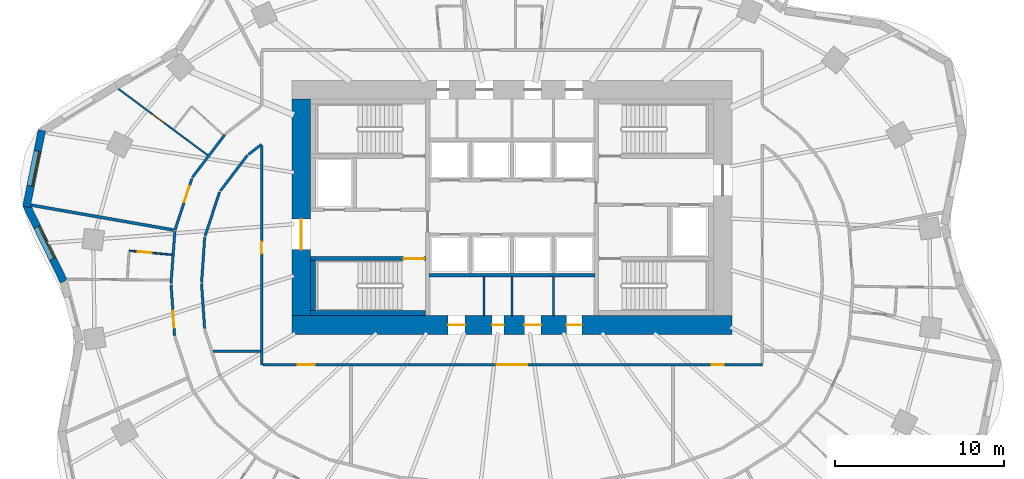
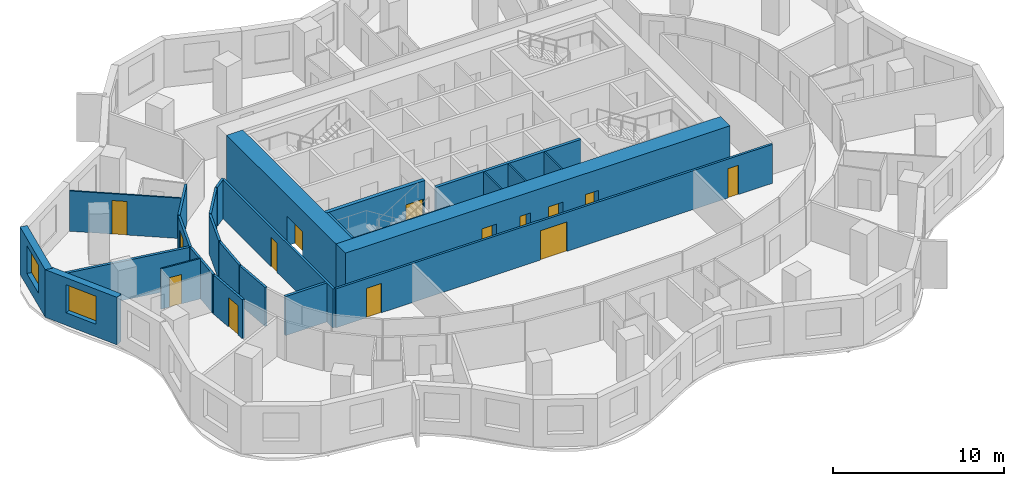
# One storey, part 4 of 10: 26 walls, 14 doors, 2 windows, 16 openings.
"""IFC4 building model written with IfcOpenShell, lengths in metres."""

import ifcopenshell
import ifcopenshell.guid

model = None  # the IFC model being written
_history = None  # IfcOwnerHistory: only IFC2X3 demands one
_inside = {}  # id of a spatial element -> (the spatial element, [elements in it])
_under = {}  # id of a project, library or spatial element -> (it, [spatial elements below it])
_declared = {}  # id of a project -> (the project, [libraries it declares])
_typed = {}  # id of a type object -> (the type object, [elements of that type])
_made_of = {}  # id of a material, layer set ... -> (it, [elements and type objects made of it])


def new_model(schema):
    """Start an empty IFC model of exactly this schema.

    Asked for "IFC4X3", IfcOpenShell would pick the latest addendum, in which some entities
    have other attributes; the version numbers below select the first issue.
    IFC2X3 requires an IfcOwnerHistory on every rooted entity: one is made here for all.
    """
    global model, _history
    if schema == "IFC4X3":
        model = ifcopenshell.file(schema_version=(4, 3, 0, 0))
    else:
        model = ifcopenshell.file(schema=schema)
    _inside.clear()
    _under.clear()
    _declared.clear()
    _typed.clear()
    _made_of.clear()
    _history = None
    if model.schema == "IFC2X3":
        org = make("IfcOrganization", Name="unknown")
        user = make(
            "IfcPersonAndOrganization",
            ThePerson=make("IfcPerson", FamilyName="unknown"),
            TheOrganization=org,
        )
        app = make(
            "IfcApplication",
            ApplicationDeveloper=org,
            Version="unknown",
            ApplicationFullName="unknown",
            ApplicationIdentifier="unknown",
        )
        _history = make(
            "IfcOwnerHistory",
            OwningUser=user,
            OwningApplication=app,
            ChangeAction="ADDED",
            CreationDate=0,
        )
    return model


def make(cls, **values):
    """One entity of the class cls with the attributes given. An attribute that is None is left unset."""
    return model.create_entity(
        cls, **{name: value for name, value in values.items() if value is not None}
    )


def rooted(cls, **values):
    """An entity with a GlobalId (a new one), such as an element, a storey or a relation."""
    return make(cls, GlobalId=ifcopenshell.guid.new(), OwnerHistory=_history, **values)


def si_unit(unit_type, name, prefix=None):
    """IfcSIUnit, for example si_unit("LENGTHUNIT", "METRE", prefix="MILLI")."""
    return make("IfcSIUnit", UnitType=unit_type, Prefix=prefix, Name=name)


def assignment(units):
    """IfcUnitAssignment: the units of a project."""
    return None if units is None else make("IfcUnitAssignment", Units=units)


def point(xyz):
    """IfcCartesianPoint."""
    return None if xyz is None else make("IfcCartesianPoint", Coordinates=xyz)


def direction(xyz):
    """IfcDirection."""
    return None if xyz is None else make("IfcDirection", DirectionRatios=xyz)


def frame(location, z_axis=None, x_axis=None):
    """IfcAxis2Placement3D, a coordinate frame: its origin and axes. An axis left out is left unset."""
    return make(
        "IfcAxis2Placement3D",
        Location=point(location),
        Axis=direction(z_axis),
        RefDirection=direction(x_axis),
    )


def frame_2d(location, x_axis=None):
    """IfcAxis2Placement2D, a coordinate frame in the plane: its origin and x axis."""
    return make(
        "IfcAxis2Placement2D", Location=point(location), RefDirection=direction(x_axis)
    )


def origin():
    """The frame at (0, 0, 0) with its axes left unset."""
    return frame((0.0, 0.0, 0.0))


def place(relative_to, where):
    """IfcLocalPlacement: puts the frame where relative to a parent placement (None: the world)."""
    return make(
        "IfcLocalPlacement", PlacementRelTo=relative_to, RelativePlacement=where
    )


def context(
    kind, dimensions, precision=None, world=None, true_north=None, identifier=None
):
    """IfcGeometricRepresentationContext, for example the 3D "Model" context."""
    return make(
        "IfcGeometricRepresentationContext",
        ContextIdentifier=identifier,
        ContextType=kind,
        CoordinateSpaceDimension=dimensions,
        Precision=precision,
        WorldCoordinateSystem=world,
        TrueNorth=true_north,
    )


def subcontext(parent, identifier, kind, view, scale=None):
    """IfcGeometricRepresentationSubContext, for example "Body" below "Model"."""
    return make(
        "IfcGeometricRepresentationSubContext",
        ContextIdentifier=identifier,
        ContextType=kind,
        ParentContext=parent,
        TargetScale=scale,
        TargetView=view,
    )


def project(units=None, contexts=None):
    """IfcProject with its units and contexts."""
    return rooted(
        "IfcProject",
        Name="project",
        RepresentationContexts=contexts,
        UnitsInContext=assignment(units),
    )


def spatial(cls, under=None, at=None, **own):
    """A site, building, storey or space (cls), placed at a placement, below another one or the project."""
    s = rooted(cls, ObjectPlacement=at, **own)
    if under is not None:
        _under.setdefault(under.id(), (under, []))[1].append(s)
    return s


def profile(cls, at=None, kind="AREA", **sizes):
    """A parametric profile (cls). Its sizes go by their IFC names, for example OverallWidth=200.0."""
    return make(cls, ProfileType=kind, Position=at, **sizes)


def rectangle(**sizes):
    """IfcRectangleProfileDef."""
    return profile("IfcRectangleProfileDef", **sizes)


def extrude(swept, where, along, depth):
    """IfcExtrudedAreaSolid: the profile swept, set in the frame where, extruded along a direction by depth."""
    return make(
        "IfcExtrudedAreaSolid",
        SweptArea=swept,
        Position=where,
        ExtrudedDirection=direction(along),
        Depth=depth,
    )


def shape(context_of_items, identifier, shape_type, items):
    """IfcShapeRepresentation: the items that make up one representation, for example the "Body"."""
    return make(
        "IfcShapeRepresentation",
        ContextOfItems=context_of_items,
        RepresentationIdentifier=identifier,
        RepresentationType=shape_type,
        Items=items,
    )


def material(Name=None, Category=None):
    """IfcMaterial."""
    return make("IfcMaterial", Name=Name, Category=Category)


def layer(
    of_material, thickness, ventilated=None, Name=None, Category=None, Priority=None
):
    """IfcMaterialLayer: one layer of a wall or slab, of a material (None: an air gap)."""
    return make(
        "IfcMaterialLayer",
        Material=of_material,
        LayerThickness=thickness,
        IsVentilated=ventilated,
        Name=Name,
        Category=Category,
        Priority=Priority,
    )


def layer_set(layers, Name=None):
    """IfcMaterialLayerSet."""
    return make("IfcMaterialLayerSet", MaterialLayers=layers, LayerSetName=Name)


def made_of(thing, what):
    """Note that an element or type object is made of a material, layer set ...; save() writes the relation."""
    if what is not None:
        _made_of.setdefault(what.id(), (what, []))[1].append(thing)
    return thing


def type_object(cls, material=None, **own):
    """A type object (cls), such as IfcWallType, which elements share."""
    return made_of(rooted(cls, **own), material)


def element(
    cls,
    number,
    at=None,
    inside=None,
    cuts=None,
    type_object=None,
    material=None,
    context=None,
    identifier="Body",
    shape_type=None,
    held_by="IfcProductDefinitionShape",
    body=None,
    shapes=None,
    **own,
):
    """One element of the class cls, such as IfcWall. Its Tag is "e" and its number.

    at: its placement. inside: the storey or other place that contains it. cuts: it is an
    opening in that element (IfcRelVoidsElement). A single representation is given by context,
    identifier, shape_type and body (its items); several are given by shapes. held_by: the class
    of the entity that holds the representations. save() writes the other relations.
    """
    e = rooted(cls, Tag="e%d" % number, ObjectPlacement=at, **own)
    if body is not None:
        shapes = [shape(context, identifier, shape_type, body)]
    if shapes is not None:
        e.Representation = make(held_by, Representations=shapes)
    if inside is not None:
        _inside.setdefault(inside.id(), (inside, []))[1].append(e)
    if cuts is not None:
        rooted(
            "IfcRelVoidsElement", RelatingBuildingElement=cuts, RelatedOpeningElement=e
        )
    if type_object is not None:
        _typed.setdefault(type_object.id(), (type_object, []))[1].append(e)
    return made_of(e, material)


def fill(opening, filler):
    """IfcRelFillsElement: the door or window that sits in an opening."""
    return rooted(
        "IfcRelFillsElement",
        RelatingOpeningElement=opening,
        RelatedBuildingElement=filler,
    )


def aggregate(whole, parts):
    """IfcRelAggregates: a whole, such as a stair, and the parts it consists of."""
    return rooted("IfcRelAggregates", RelatingObject=whole, RelatedObjects=parts)


def save(model, path):
    """Write the relations noted so far, then the file.

    IfcRelAggregates (storeys below a building ...), IfcRelContainedInSpatialStructure (elements
    in a storey), IfcRelDefinesByType, IfcRelAssociatesMaterial and IfcRelDeclares: one each for
    every whole, place, type object, material and project.
    """
    for whole, parts in _under.values():
        aggregate(whole, parts)
    for where, things in _inside.values():
        rooted(
            "IfcRelContainedInSpatialStructure",
            RelatedElements=things,
            RelatingStructure=where,
        )
    for kind, things in _typed.values():
        rooted("IfcRelDefinesByType", RelatedObjects=things, RelatingType=kind)
    for what, things in _made_of.values():
        rooted("IfcRelAssociatesMaterial", RelatedObjects=things, RelatingMaterial=what)
    for by, libraries in _declared.values():
        rooted("IfcRelDeclares", RelatingContext=by, RelatedDefinitions=libraries)
    model.write(path)


model = new_model("IFC4")

# Units and contexts
model_context = context("Model", 3, precision=1e-05, world=origin(), true_north=direction((0.0, 1.0)))
body_context = subcontext(model_context, "Body", "Model", "MODEL_VIEW")
ifc_project = project(units=[si_unit("LENGTHUNIT", "METRE"), si_unit("AREAUNIT", "SQUARE_METRE"), si_unit("VOLUMEUNIT", "CUBIC_METRE"), si_unit("PLANEANGLEUNIT", "RADIAN"), si_unit("MASSUNIT", "GRAM", prefix="KILO")], contexts=[model_context])

# Site, building, storey
site_placement = place(None, origin())
site = spatial("IfcSite", under=ifc_project, at=site_placement, CompositionType="ELEMENT")
building_placement = place(site_placement, origin())
building = spatial("IfcBuilding", under=site, at=building_placement, Name="Rubra Terraces Tower", CompositionType="ELEMENT")
storey_placement = place(building_placement, frame((0.0, 0.0, 92.39990234375)))
storey = spatial("IfcBuildingStorey", under=building, at=storey_placement, Name="L21", CompositionType="ELEMENT", Elevation=92.39990234375)

# Walls
ifc_material_1 = material(Name="Twin plasterboard on staggered steel stud, acoustic mineral wool", Category="steel")
ifc_layer_1 = layer(ifc_material_1, 0.175048828125)
ifc_layer_set_1 = layer_set([ifc_layer_1], Name="Twin plasterboard on staggered steel stud, acoustic mineral wool")
wall_type_1 = type_object("IfcWallType", Name="ACOUSTIC PARTY WALL 175", PredefinedType="PARTITIONING", material=ifc_layer_set_1)
wall_1_placement = place(storey_placement, frame((-28.435791015625, 4.63818359375, 0.0), z_axis=(0.0, 0.0, 1.0), x_axis=(0.985076851218, -0.172115069633, 0.0)))
element("IfcWall", 1, at=wall_1_placement, inside=storey, type_object=wall_type_1, Name="PARTITION", PredefinedType="PARTITIONING", context=body_context, shape_type="SweptSolid", body=[
    extrude(rectangle(XDim=8.5732421875, YDim=0.175048828125, at=frame_2d((4.28662109375, 0.0))), origin(), (0.0, 0.0, 1.0), 2.7841796875),
])
wall_2_placement = place(storey_placement, frame((-17.667724609375, -4.0, 0.0), z_axis=(0.0, 0.0, 1.0), x_axis=(1.0, 0.0, 0.0)))
element("IfcWall", 2, at=wall_2_placement, inside=storey, type_object=wall_type_1, Name="PARTITION", PredefinedType="PARTITIONING", context=body_context, shape_type="SweptSolid", body=[
    extrude(rectangle(XDim=2.792724609375, YDim=0.175048828125, at=frame_2d((1.396484375, 0.0))), origin(), (0.0, 0.0, 1.0), 2.7841796875),
])

# Wall, opening, window
ifc_material_2 = material(Name="Brick masonry red-brown", Category="masonry")
ifc_layer_2 = layer(ifc_material_2, 0.449951171875)
ifc_layer_set_2 = layer_set([ifc_layer_2], Name="Brick masonry red-brown")
wall_type_2 = type_object("IfcWallType", Name="Brick facade wall 450", PredefinedType="SOLIDWALL", material=ifc_layer_set_2)
wall_3_placement = place(storey_placement, frame((-27.779541015625, 9.053466796875, 0.0), z_axis=(0.0, 0.0, 1.0), x_axis=(-0.197796229105, -0.980243159503, 0.0)))
wall_3 = element("IfcWall", 3, at=wall_3_placement, inside=storey, type_object=wall_type_2, Name="Facade wall L21 bay 19", PredefinedType="SOLIDWALL", context=body_context, shape_type="SweptSolid", body=[
    extrude(rectangle(XDim=4.610107421875, YDim=0.449951171875, at=frame_2d((2.30517578125, 0.0))), origin(), (0.0, 0.0, 1.0), 3.400146484375),
])
opening_1_placement = place(wall_3_placement, frame((1.255126953125, 0.0, 0.89990234375)))
opening_1 = element("IfcOpeningElement", 4, at=opening_1_placement, cuts=wall_3, Name="Opening W1", PredefinedType="OPENING", context=body_context, shape_type="SweptSolid", body=[
    extrude(rectangle(XDim=2.10009765625, YDim=2.0, at=frame_2d((1.050048828125, 1.0))), frame((0.0, 0.23486328125, 0.0), z_axis=(0.0, -1.0, 0.0), x_axis=(1.0, 0.0, 0.0)), (0.0, 0.0, 1.0), 0.469970703125),
])
ifc_material_3 = material(Name="Clear glass in aluminium frame", Category="aluminium")
window_type = type_object("IfcWindowType", Name="Fixed deep-set window 2100 x 2000", PartitioningType="SINGLE_PANEL", PredefinedType="WINDOW", material=ifc_material_3)
window_1_placement = place(opening_1_placement, origin())
window_1 = element("IfcWindow", 5, at=window_1_placement, inside=storey, type_object=window_type, Name="Window L21 bay 19", OverallHeight=2.0, OverallWidth=2.10009765625, PartitioningType="SINGLE_PANEL", PredefinedType="WINDOW", context=body_context, shape_type="SweptSolid", body=[
    extrude(rectangle(XDim=2.10009765625, YDim=2.0, at=frame_2d((1.050048828125, 1.0))), frame((0.0, 0.135009765625, 0.0), z_axis=(0.0, -1.0, 0.0), x_axis=(1.0, 0.0, 0.0)), (0.0, 0.0, 1.0), 0.06005859375),
])
fill(opening_1, window_1)

wall_4_placement = place(storey_placement, frame((-28.70703125, 4.672119140625, 0.0), z_axis=(0.0, 0.0, 1.0), x_axis=(0.439053549989, -0.898460895221, 0.0)))
wall_4 = element("IfcWall", 6, at=wall_4_placement, inside=storey, type_object=wall_type_2, Name="Facade wall L21 bay 20", PredefinedType="SOLIDWALL", context=body_context, shape_type="SweptSolid", body=[
    extrude(rectangle(XDim=5.061767578125, YDim=0.449951171875, at=frame_2d((2.53076171875, 0.0))), origin(), (0.0, 0.0, 1.0), 3.400146484375),
])
opening_2_placement = place(wall_4_placement, frame((1.48095703125, 0.0, 0.89990234375)))
opening_2 = element("IfcOpeningElement", 7, at=opening_2_placement, cuts=wall_4, Name="Opening W1", PredefinedType="OPENING", context=body_context, shape_type="SweptSolid", body=[
    extrude(rectangle(XDim=2.10009765625, YDim=2.0, at=frame_2d((1.050048828125, 1.0))), frame((0.0, 0.23486328125, 0.0), z_axis=(0.0, -1.0, 0.0), x_axis=(1.0, 0.0, 0.0)), (0.0, 0.0, 1.0), 0.469970703125),
])
window_2_placement = place(opening_2_placement, origin())
window_2 = element("IfcWindow", 8, at=window_2_placement, inside=storey, type_object=window_type, Name="Window L21 bay 20", OverallHeight=2.0, OverallWidth=2.10009765625, PartitioningType="SINGLE_PANEL", PredefinedType="WINDOW", context=body_context, shape_type="SweptSolid", body=[
    extrude(rectangle(XDim=2.10009765625, YDim=2.0, at=frame_2d((1.050048828125, 1.0))), frame((0.0, 0.135009765625, 0.0), z_axis=(0.0, -1.0, 0.0), x_axis=(1.0, 0.0, 0.0)), (0.0, 0.0, 1.0), 0.06005859375),
])
fill(opening_2, window_2)

# Wall, openings, doors
ifc_material_4 = material(Name="Concrete C60", Category="concrete")
ifc_layer_3 = layer(ifc_material_4, 1.10009765625)
ifc_layer_set_3 = layer_set([ifc_layer_3], Name="Concrete C60")
wall_type_3 = type_object("IfcWallType", Name="CORE WALL 1100 C60", PredefinedType="SHEAR", material=ifc_layer_set_3)
wall_5_placement = place(storey_placement, frame((-13.0, -2.449951171875, 0.0), z_axis=(0.0, 0.0, 1.0), x_axis=(1.0, 0.0, 0.0)))
wall_5 = element("IfcWall", 9, at=wall_5_placement, inside=storey, type_object=wall_type_3, Name="CORE WALL S L21", PredefinedType="SHEAR", context=body_context, shape_type="SweptSolid", body=[
    extrude(rectangle(XDim=26.0, YDim=1.10009765625, at=frame_2d((13.0, 0.0))), origin(), (0.0, 0.0, 1.0), 3.60009765625),
])
opening_3_placement = place(wall_5_placement, frame((9.22509765625, 0.0, 0.0)))
opening_3 = element("IfcOpeningElement", 10, at=opening_3_placement, cuts=wall_5, Name="Opening L21.C19", PredefinedType="OPENING", context=body_context, shape_type="SweptSolid", body=[
    extrude(rectangle(XDim=1.0, YDim=2.10009765625, at=frame_2d((0.5, 1.050048828125))), frame((0.0, 0.56005859375, 0.0), z_axis=(0.0, -1.0, 0.0), x_axis=(1.0, 0.0, 0.0)), (0.0, 0.0, 1.0), 1.1201171875),
])
opening_4_placement = place(wall_5_placement, frame((11.824951171875, 0.0, 0.0)))
opening_4 = element("IfcOpeningElement", 11, at=opening_4_placement, cuts=wall_5, Name="Opening L21.C20", PredefinedType="OPENING", context=body_context, shape_type="SweptSolid", body=[
    extrude(rectangle(XDim=0.699951171875, YDim=2.10009765625, at=frame_2d((0.35009765625, 1.050048828125))), frame((0.0, 0.56005859375, 0.0), z_axis=(0.0, -1.0, 0.0), x_axis=(1.0, 0.0, 0.0)), (0.0, 0.0, 1.0), 1.1201171875),
])
opening_5_placement = place(wall_5_placement, frame((13.72509765625, 0.0, 0.0)))
opening_5 = element("IfcOpeningElement", 12, at=opening_5_placement, cuts=wall_5, Name="Opening L21.C21", PredefinedType="OPENING", context=body_context, shape_type="SweptSolid", body=[
    extrude(rectangle(XDim=1.0, YDim=2.10009765625, at=frame_2d((0.5, 1.050048828125))), frame((0.0, 0.56005859375, 0.0), z_axis=(0.0, -1.0, 0.0), x_axis=(1.0, 0.0, 0.0)), (0.0, 0.0, 1.0), 1.1201171875),
])
opening_6_placement = place(wall_5_placement, frame((16.22509765625, 0.0, 0.0)))
opening_6 = element("IfcOpeningElement", 13, at=opening_6_placement, cuts=wall_5, Name="Opening L21.C22", PredefinedType="OPENING", context=body_context, shape_type="SweptSolid", body=[
    extrude(rectangle(XDim=0.89990234375, YDim=2.10009765625, at=frame_2d((0.449951171875, 1.050048828125))), frame((0.0, 0.56005859375, 0.0), z_axis=(0.0, -1.0, 0.0), x_axis=(1.0, 0.0, 0.0)), (0.0, 0.0, 1.0), 1.1201171875),
])
ifc_material_5 = material(Name="Painted steel", Category="steel")
door_type_1 = type_object("IfcDoorType", Name="Fire door 1000x2100 single", OperationType="NOTDEFINED", PredefinedType="DOOR", material=ifc_material_5)
door_1_placement = place(opening_3_placement, origin())
door_1 = element("IfcDoor", 14, at=door_1_placement, inside=storey, type_object=door_type_1, Name="Linen store door", OperationType="SINGLE_SWING_LEFT", OverallHeight=2.10009765625, OverallWidth=1.0, PredefinedType="DOOR", context=body_context, shape_type="SweptSolid", body=[
    extrude(rectangle(XDim=1.0, YDim=2.10009765625, at=frame_2d((0.5, 1.050048828125))), frame((0.0, 0.02490234375, 0.0), z_axis=(0.0, -1.0, 0.0), x_axis=(1.0, 0.0, 0.0)), (0.0, 0.0, 1.0), 0.050048828125),
])
fill(opening_3, door_1)
door_2_placement = place(opening_5_placement, origin())
door_2 = element("IfcDoor", 15, at=door_2_placement, inside=storey, type_object=door_type_1, Name="Ice and vending room door", OperationType="SINGLE_SWING_LEFT", OverallHeight=2.10009765625, OverallWidth=1.0, PredefinedType="DOOR", context=body_context, shape_type="SweptSolid", body=[
    extrude(rectangle(XDim=1.0, YDim=2.10009765625, at=frame_2d((0.5, 1.050048828125))), frame((0.0, 0.02490234375, 0.0), z_axis=(0.0, -1.0, 0.0), x_axis=(1.0, 0.0, 0.0)), (0.0, 0.0, 1.0), 0.050048828125),
])
fill(opening_5, door_2)
door_type_2 = type_object("IfcDoorType", Name="Fire door 900x2100 single", OperationType="NOTDEFINED", PredefinedType="DOOR", material=ifc_material_5)
door_3_placement = place(opening_6_placement, origin())
door_3 = element("IfcDoor", 16, at=door_3_placement, inside=storey, type_object=door_type_2, Name="Cleaner's store door", OperationType="SINGLE_SWING_RIGHT", OverallHeight=2.10009765625, OverallWidth=0.89990234375, PredefinedType="DOOR", context=body_context, shape_type="SweptSolid", body=[
    extrude(rectangle(XDim=0.89990234375, YDim=2.10009765625, at=frame_2d((0.449951171875, 1.050048828125))), frame((0.0, 0.02490234375, 0.0), z_axis=(0.0, -1.0, 0.0), x_axis=(1.0, 0.0, 0.0)), (0.0, 0.0, 1.0), 0.050048828125),
])
fill(opening_6, door_3)
door_type_3 = type_object("IfcDoorType", Name="Riser access door 700x2100 single", OperationType="NOTDEFINED", PredefinedType="DOOR", material=ifc_material_5)
door_4_placement = place(opening_4_placement, origin())
door_4 = element("IfcDoor", 17, at=door_4_placement, inside=storey, type_object=door_type_3, Name="Telecoms room door", OperationType="SINGLE_SWING_RIGHT", OverallHeight=2.10009765625, OverallWidth=0.699951171875, PredefinedType="DOOR", context=body_context, shape_type="SweptSolid", body=[
    extrude(rectangle(XDim=0.699951171875, YDim=2.10009765625, at=frame_2d((0.35009765625, 1.050048828125))), frame((0.0, 0.02490234375, 0.0), z_axis=(0.0, -1.0, 0.0), x_axis=(1.0, 0.0, 0.0)), (0.0, 0.0, 1.0), 0.050048828125),
])
fill(opening_4, door_4)

# Wall, opening, door
wall_6_placement = place(storey_placement, frame((-12.449951171875, -1.89990234375, 0.0), z_axis=(0.0, 0.0, 1.0), x_axis=(0.0, 1.0, 0.0)))
wall_6 = element("IfcWall", 18, at=wall_6_placement, inside=storey, type_object=wall_type_3, Name="CORE WALL W L21", PredefinedType="SHEAR", context=body_context, shape_type="SweptSolid", body=[
    extrude(rectangle(XDim=12.7998046875, YDim=1.10009765625, at=frame_2d((6.39990234375, 0.0))), origin(), (0.0, 0.0, 1.0), 3.60009765625),
])
opening_7_placement = place(wall_6_placement, frame((3.89990234375, 0.0, 0.0)))
opening_7 = element("IfcOpeningElement", 19, at=opening_7_placement, cuts=wall_6, Name="Opening L21.C01", PredefinedType="OPENING", context=body_context, shape_type="SweptSolid", body=[
    extrude(rectangle(XDim=1.800048828125, YDim=2.10009765625, at=frame_2d((0.89990234375, 1.050048828125))), frame((0.0, 0.56005859375, 0.0), z_axis=(0.0, -1.0, 0.0), x_axis=(1.0, 0.0, 0.0)), (0.0, 0.0, 1.0), 1.1201171875),
])
door_type_4 = type_object("IfcDoorType", Name="Fire door 1800x2100 double", OperationType="NOTDEFINED", PredefinedType="DOOR", material=ifc_material_5)
door_5_placement = place(opening_7_placement, origin())
door_5 = element("IfcDoor", 20, at=door_5_placement, inside=storey, type_object=door_type_4, Name="Core entrance door FF1", OperationType="DOUBLE_DOOR_SINGLE_SWING", OverallHeight=2.10009765625, OverallWidth=1.800048828125, PredefinedType="DOOR", context=body_context, shape_type="SweptSolid", body=[
    extrude(rectangle(XDim=1.800048828125, YDim=2.10009765625, at=frame_2d((0.89990234375, 1.050048828125))), frame((0.0, 0.02490234375, 0.0), z_axis=(0.0, -1.0, 0.0), x_axis=(1.0, 0.0, 0.0)), (0.0, 0.0, 1.0), 0.050048828125),
])
fill(opening_7, door_5)

# Wall
ifc_material_6 = material(Name="Plasterboard on steel stud, mineral wool infill", Category="steel")
ifc_layer_4 = layer(ifc_material_6, 0.14990234375)
ifc_layer_set_4 = layer_set([ifc_layer_4], Name="Plasterboard on steel stud, mineral wool infill")
wall_type_4 = type_object("IfcWallType", Name="CORRIDOR PARTITION 150", PredefinedType="PARTITIONING", material=ifc_layer_set_4)
wall_7_placement = place(storey_placement, frame((-16.966796875, 8.799560546875, 0.0), z_axis=(0.0, 0.0, 1.0), x_axis=(-0.604991921991, -0.796231608469, 0.0)))
element("IfcWall", 21, at=wall_7_placement, inside=storey, type_object=wall_type_4, Name="PARTITION", PredefinedType="PARTITIONING", context=body_context, shape_type="SweptSolid", body=[
    extrude(rectangle(XDim=3.18505859375, YDim=0.14990234375, at=frame_2d((1.592529296875, 0.0))), origin(), (0.0, 0.0, 1.0), 2.7841796875),
])

# Wall, opening, door
wall_8_placement = place(storey_placement, frame((-18.917236328125, 6.192138671875, 0.0), z_axis=(0.0, 0.0, 1.0), x_axis=(-0.312108072507, -0.950046604686, 0.0)))
wall_8 = element("IfcWall", 22, at=wall_8_placement, inside=storey, type_object=wall_type_4, Name="PARTITION", PredefinedType="PARTITIONING", context=body_context, shape_type="SweptSolid", body=[
    extrude(rectangle(XDim=3.202392578125, YDim=0.14990234375, at=frame_2d((1.60107421875, 0.0))), origin(), (0.0, 0.0, 1.0), 2.7841796875),
])
opening_8_placement = place(wall_8_placement, frame((0.449951171875, 0.0, 0.0)))
opening_8 = element("IfcOpeningElement", 23, at=opening_8_placement, cuts=wall_8, Name="Opening 21-108", PredefinedType="OPENING", context=body_context, shape_type="SweptSolid", body=[
    extrude(rectangle(XDim=1.0, YDim=2.10009765625, at=frame_2d((0.5, 1.050048828125))), frame((0.0, 0.0849609375, 0.0), z_axis=(0.0, -1.0, 0.0), x_axis=(1.0, 0.0, 0.0)), (0.0, 0.0, 1.0), 0.169921875),
])
ifc_material_7 = material(Name="Painted timber door leaf", Category="wood")
door_type_5 = type_object("IfcDoorType", Name="ROOM DOOR 1000 X 2100", OperationType="SINGLE_SWING_LEFT", PredefinedType="DOOR", material=ifc_material_7)
door_6_placement = place(opening_8_placement, origin())
door_6 = element("IfcDoor", 24, at=door_6_placement, inside=storey, type_object=door_type_5, Name="DOOR 21-108", OperationType="SINGLE_SWING_RIGHT", OverallHeight=2.10009765625, OverallWidth=1.0, PredefinedType="DOOR", context=body_context, shape_type="SweptSolid", body=[
    extrude(rectangle(XDim=1.0, YDim=2.10009765625, at=frame_2d((0.5, 1.050048828125))), frame((0.0, 0.02490234375, 0.0), z_axis=(0.0, -1.0, 0.0), x_axis=(1.0, 0.0, 0.0)), (0.0, 0.0, 1.0), 0.050048828125),
])
fill(opening_8, door_6)

# Wall
wall_9_placement = place(storey_placement, frame((-19.922119140625, 3.07470703125, 0.0), z_axis=(0.0, 0.0, 1.0), x_axis=(-0.073565410214, -0.997290394228, 0.0)))
element("IfcWall", 25, at=wall_9_placement, inside=storey, type_object=wall_type_4, Name="PARTITION", PredefinedType="PARTITIONING", context=body_context, shape_type="SweptSolid", body=[
    extrude(rectangle(XDim=3.0830078125, YDim=0.14990234375, at=frame_2d((1.54150390625, 0.0))), origin(), (0.0, 0.0, 1.0), 2.7841796875),
])

# Wall, opening, door
wall_10_placement = place(storey_placement, frame((-20.143798828125, -0.07470703125, 0.0), z_axis=(0.0, 0.0, 1.0), x_axis=(0.068280105787, -0.997666190243, 0.0)))
wall_10 = element("IfcWall", 26, at=wall_10_placement, inside=storey, type_object=wall_type_4, Name="PARTITION", PredefinedType="PARTITIONING", context=body_context, shape_type="SweptSolid", body=[
    extrude(rectangle(XDim=3.017822265625, YDim=0.14990234375, at=frame_2d((1.5087890625, 0.0))), origin(), (0.0, 0.0, 1.0), 2.7841796875),
])
opening_9_placement = place(wall_10_placement, frame((1.550048828125, 0.0, 0.0)))
opening_9 = element("IfcOpeningElement", 27, at=opening_9_placement, cuts=wall_10, Name="Opening 21-111", PredefinedType="OPENING", context=body_context, shape_type="SweptSolid", body=[
    extrude(rectangle(XDim=1.0, YDim=2.10009765625, at=frame_2d((0.5, 1.050048828125))), frame((0.0, 0.0849609375, 0.0), z_axis=(0.0, -1.0, 0.0), x_axis=(1.0, 0.0, 0.0)), (0.0, 0.0, 1.0), 0.169921875),
])
door_7_placement = place(opening_9_placement, origin())
door_7 = element("IfcDoor", 28, at=door_7_placement, inside=storey, type_object=door_type_5, Name="DOOR 21-111", OperationType="SINGLE_SWING_RIGHT", OverallHeight=2.10009765625, OverallWidth=1.0, PredefinedType="DOOR", context=body_context, shape_type="SweptSolid", body=[
    extrude(rectangle(XDim=1.0, YDim=2.10009765625, at=frame_2d((0.5, 1.050048828125))), frame((0.0, 0.02490234375, 0.0), z_axis=(0.0, -1.0, 0.0), x_axis=(1.0, 0.0, 0.0)), (0.0, 0.0, 1.0), 0.050048828125),
])
fill(opening_9, door_7)

# Walls
for number, where, z_axis, x_axis, name in (
    (29, (-18.162353515625, -2.6630859375, 0.0), (0.0, 0.0, 1.0), (-0.068321828968, 0.997663333839, 0.0), "PARTITION"),
    (30, (-18.339599609375, 0.07470703125, 0.0), (0.0, 0.0, 1.0), (0.068321828968, 0.997663333839, 0.0), "PARTITION"),
):
    element("IfcWall", number, at=place(storey_placement, frame(where, z_axis=z_axis, x_axis=x_axis)), inside=storey, type_object=wall_type_4, Name=name, PredefinedType="PARTITIONING", context=body_context, shape_type="SweptSolid", body=[
        extrude(rectangle(XDim=2.66943359375, YDim=0.14990234375, at=frame_2d((1.334716796875, 0.0))), origin(), (0.0, 0.0, 1.0), 2.7841796875),
    ])
wall_11_placement = place(storey_placement, frame((-18.1337890625, 2.80908203125, 0.0), z_axis=(0.0, 0.0, 1.0), x_axis=(0.312005223814, 0.950080386237, 0.0)))
element("IfcWall", 31, at=wall_11_placement, inside=storey, type_object=wall_type_4, Name="PARTITION", PredefinedType="PARTITIONING", context=body_context, shape_type="SweptSolid", body=[
    extrude(rectangle(XDim=2.74267578125, YDim=0.14990234375, at=frame_2d((1.371337890625, 0.0))), origin(), (0.0, 0.0, 1.0), 2.7841796875),
])
wall_12_placement = place(storey_placement, frame((-17.232666015625, 5.474609375, 0.0), z_axis=(0.0, 0.0, 1.0), x_axis=(0.605024750549, 0.796206663639, 0.0)))
element("IfcWall", 32, at=wall_12_placement, inside=storey, type_object=wall_type_4, Name="PARTITION", PredefinedType="PARTITIONING", context=body_context, shape_type="SweptSolid", body=[
    extrude(rectangle(XDim=2.644775390625, YDim=0.14990234375, at=frame_2d((1.322265625, 0.0))), origin(), (0.0, 0.0, 1.0), 2.7841796875),
])
wall_13_placement = place(storey_placement, frame((-15.572998046875, 7.626220703125, 0.0), z_axis=(0.0, 0.0, 1.0), x_axis=(0.791581834002, 0.611063171921, 0.0)))
element("IfcWall", 33, at=wall_13_placement, inside=storey, type_object=wall_type_4, Name="PARTITION", PredefinedType="PARTITIONING", context=body_context, shape_type="SweptSolid", body=[
    extrude(rectangle(XDim=0.9765625, YDim=0.14990234375, at=frame_2d((0.48828125, 0.0))), origin(), (0.0, 0.0, 1.0), 2.7841796875),
])

# Wall, opening, door
wall_14_placement = place(storey_placement, frame((-14.800048828125, 8.14794921875, 0.0), z_axis=(0.0, 0.0, 1.0), x_axis=(0.0, -1.0, 0.0)))
wall_14 = element("IfcWall", 34, at=wall_14_placement, inside=storey, type_object=wall_type_4, Name="PARTITION", PredefinedType="PARTITIONING", context=body_context, shape_type="SweptSolid", body=[
    extrude(rectangle(XDim=12.947998046875, YDim=0.14990234375, at=frame_2d((6.47412109375, 0.0))), origin(), (0.0, 0.0, 1.0), 2.7841796875),
])
opening_10_placement = place(wall_14_placement, frame((5.68701171875, 0.0, 0.0)))
opening_10 = element("IfcOpeningElement", 35, at=opening_10_placement, cuts=wall_14, Name="Opening 21-129", PredefinedType="OPENING", context=body_context, shape_type="SweptSolid", body=[
    extrude(rectangle(XDim=0.699951171875, YDim=2.10009765625, at=frame_2d((0.35009765625, 1.050048828125))), frame((0.0, 0.0849609375, 0.0), z_axis=(0.0, -1.0, 0.0), x_axis=(1.0, 0.0, 0.0)), (0.0, 0.0, 1.0), 0.169921875),
])
door_type_6 = type_object("IfcDoorType", Name="STORE DOOR 700 X 2100", OperationType="SINGLE_SWING_LEFT", PredefinedType="DOOR", material=ifc_material_7)
door_8_placement = place(opening_10_placement, origin())
door_8 = element("IfcDoor", 36, at=door_8_placement, inside=storey, type_object=door_type_6, Name="DOOR 21-129", OperationType="SINGLE_SWING_RIGHT", OverallHeight=2.10009765625, OverallWidth=0.699951171875, PredefinedType="DOOR", context=body_context, shape_type="SweptSolid", body=[
    extrude(rectangle(XDim=0.699951171875, YDim=2.10009765625, at=frame_2d((0.35009765625, 1.050048828125))), frame((0.0, 0.02490234375, 0.0), z_axis=(0.0, -1.0, 0.0), x_axis=(1.0, 0.0, 0.0)), (0.0, 0.0, 1.0), 0.050048828125),
])
fill(opening_10, door_8)

# Wall, openings, doors
wall_15_placement = place(storey_placement, frame((-14.72509765625, -4.800048828125, 0.0), z_axis=(0.0, 0.0, 1.0), x_axis=(1.0, 0.0, 0.0)))
wall_15 = element("IfcWall", 37, at=wall_15_placement, inside=storey, type_object=wall_type_4, Name="PARTITION", PredefinedType="PARTITIONING", context=body_context, shape_type="SweptSolid", body=[
    extrude(rectangle(XDim=29.525146484375, YDim=0.14990234375, at=frame_2d((14.7626953125, 0.0))), origin(), (0.0, 0.0, 1.0), 2.7841796875),
])
opening_11_placement = place(wall_15_placement, frame((2.074951171875, 0.0, 0.0)))
opening_11 = element("IfcOpeningElement", 38, at=opening_11_placement, cuts=wall_15, Name="Opening 21-130", PredefinedType="OPENING", context=body_context, shape_type="SweptSolid", body=[
    extrude(rectangle(XDim=1.0, YDim=2.10009765625, at=frame_2d((0.5, 1.050048828125))), frame((0.0, 0.0849609375, 0.0), z_axis=(0.0, -1.0, 0.0), x_axis=(1.0, 0.0, 0.0)), (0.0, 0.0, 1.0), 0.169921875),
])
opening_12_placement = place(wall_15_placement, frame((13.824951171875, 0.0, 0.0)))
opening_12 = element("IfcOpeningElement", 39, at=opening_12_placement, cuts=wall_15, Name="Opening 21-131", PredefinedType="OPENING", context=body_context, shape_type="SweptSolid", body=[
    extrude(rectangle(XDim=1.800048828125, YDim=2.10009765625, at=frame_2d((0.89990234375, 1.050048828125))), frame((0.0, 0.0849609375, 0.0), z_axis=(0.0, -1.0, 0.0), x_axis=(1.0, 0.0, 0.0)), (0.0, 0.0, 1.0), 0.169921875),
])
opening_13_placement = place(wall_15_placement, frame((26.52490234375, 0.0, 0.0)))
opening_13 = element("IfcOpeningElement", 40, at=opening_13_placement, cuts=wall_15, Name="Opening 21-132", PredefinedType="OPENING", context=body_context, shape_type="SweptSolid", body=[
    extrude(rectangle(XDim=0.699951171875, YDim=2.10009765625, at=frame_2d((0.35009765625, 1.050048828125))), frame((0.0, 0.0849609375, 0.0), z_axis=(0.0, -1.0, 0.0), x_axis=(1.0, 0.0, 0.0)), (0.0, 0.0, 1.0), 0.169921875),
])
door_9_placement = place(opening_11_placement, origin())
door_9 = element("IfcDoor", 41, at=door_9_placement, inside=storey, type_object=door_type_5, Name="DOOR 21-130", OperationType="SINGLE_SWING_RIGHT", OverallHeight=2.10009765625, OverallWidth=1.0, PredefinedType="DOOR", context=body_context, shape_type="SweptSolid", body=[
    extrude(rectangle(XDim=1.0, YDim=2.10009765625, at=frame_2d((0.5, 1.050048828125))), frame((0.0, 0.02490234375, 0.0), z_axis=(0.0, -1.0, 0.0), x_axis=(1.0, 0.0, 0.0)), (0.0, 0.0, 1.0), 0.050048828125),
])
fill(opening_11, door_9)
ifc_material_8 = material(Name="Painted timber door leaf, double", Category="wood")
door_type_7 = type_object("IfcDoorType", Name="ROOM DOUBLE DOOR 1800 X 2100", OperationType="DOUBLE_DOOR_SINGLE_SWING", PredefinedType="DOOR", material=ifc_material_8)
door_10_placement = place(opening_12_placement, origin())
door_10 = element("IfcDoor", 42, at=door_10_placement, inside=storey, type_object=door_type_7, Name="DOOR 21-131", OperationType="DOUBLE_DOOR_SINGLE_SWING", OverallHeight=2.10009765625, OverallWidth=1.800048828125, PredefinedType="DOOR", context=body_context, shape_type="SweptSolid", body=[
    extrude(rectangle(XDim=1.800048828125, YDim=2.10009765625, at=frame_2d((0.89990234375, 1.050048828125))), frame((0.0, 0.02490234375, 0.0), z_axis=(0.0, -1.0, 0.0), x_axis=(1.0, 0.0, 0.0)), (0.0, 0.0, 1.0), 0.050048828125),
])
fill(opening_12, door_10)
door_11_placement = place(opening_13_placement, origin())
door_11 = element("IfcDoor", 43, at=door_11_placement, inside=storey, type_object=door_type_6, Name="DOOR 21-132", OperationType="SINGLE_SWING_RIGHT", OverallHeight=2.10009765625, OverallWidth=0.699951171875, PredefinedType="DOOR", context=body_context, shape_type="SweptSolid", body=[
    extrude(rectangle(XDim=0.699951171875, YDim=2.10009765625, at=frame_2d((0.35009765625, 1.050048828125))), frame((0.0, 0.02490234375, 0.0), z_axis=(0.0, -1.0, 0.0), x_axis=(1.0, 0.0, 0.0)), (0.0, 0.0, 1.0), 0.050048828125),
])
fill(opening_13, door_11)

# Walls
ifc_material_9 = material(Name="Concrete C40", Category="concrete")
ifc_layer_5 = layer(ifc_material_9, 0.300048828125)
ifc_layer_set_5 = layer_set([ifc_layer_5], Name="Concrete C40")
wall_type_5 = type_object("IfcWallType", Name="Core lining wall 300 concrete", PredefinedType="SOLIDWALL", material=ifc_layer_set_5)
wall_16_placement = place(storey_placement, frame((-11.89990234375, -1.75, 0.0), z_axis=(0.0, 0.0, 1.0), x_axis=(1.0, 0.0, 0.0)))
element("IfcWall", 44, at=wall_16_placement, inside=storey, type_object=wall_type_5, Name="CORE LINING WALL L21", PredefinedType="SOLIDWALL", context=body_context, shape_type="SweptSolid", body=[
    extrude(rectangle(XDim=6.7998046875, YDim=0.300048828125, at=frame_2d((3.39990234375, 0.0))), origin(), (0.0, 0.0, 1.0), 3.400146484375),
])
wall_17_placement = place(storey_placement, frame((-11.75, -1.60009765625, 0.0), z_axis=(0.0, 0.0, 1.0), x_axis=(0.0, 1.0, 0.0)))
element("IfcWall", 45, at=wall_17_placement, inside=storey, type_object=wall_type_5, Name="CORE LINING WALL L21", PredefinedType="SOLIDWALL", context=body_context, shape_type="SweptSolid", body=[
    extrude(rectangle(XDim=2.9501953125, YDim=0.300048828125, at=frame_2d((1.47509765625, 0.0))), origin(), (0.0, 0.0, 1.0), 3.400146484375),
])
ifc_material_10 = material(Name="Concrete C30", Category="concrete")
ifc_layer_6 = layer(ifc_material_10, 0.199951171875)
ifc_layer_set_6 = layer_set([ifc_layer_6], Name="Concrete C30")
wall_type_6 = type_object("IfcWallType", Name="Core wall 200 concrete", PredefinedType="SOLIDWALL", material=ifc_layer_set_6)
wall_18_placement = place(storey_placement, frame((-4.89990234375, 0.5, 0.0), z_axis=(0.0, 0.0, 1.0), x_axis=(1.0, 0.0, 0.0)))
element("IfcWall", 46, at=wall_18_placement, inside=storey, type_object=wall_type_6, Name="LIFT SHAFT WALL L21", PredefinedType="SOLIDWALL", context=body_context, shape_type="SweptSolid", body=[
    extrude(rectangle(XDim=9.7998046875, YDim=0.199951171875, at=frame_2d((4.89990234375, 0.0))), origin(), (0.0, 0.0, 1.0), 3.400146484375),
])

# Wall, opening, door
ifc_material_11 = material(Name="Plasterboard on steel stud", Category="steel")
ifc_layer_7 = layer(ifc_material_11, 0.10009765625)
ifc_layer_set_7 = layer_set([ifc_layer_7], Name="Plasterboard on steel stud")
wall_type_7 = type_object("IfcWallType", Name="ROOM PARTITION 100", PredefinedType="PARTITIONING", material=ifc_layer_set_7)
wall_19_placement = place(storey_placement, frame((-23.256103515625, 11.501220703125, 0.0), z_axis=(0.0, 0.0, 1.0), x_axis=(0.802681816508, -0.596407496136, 0.0)))
wall_19 = element("IfcWall", 47, at=wall_19_placement, inside=storey, type_object=wall_type_7, Name="PARTITION", PredefinedType="PARTITIONING", context=body_context, shape_type="SweptSolid", body=[
    extrude(rectangle(XDim=6.567626953125, YDim=0.10009765625, at=frame_2d((3.28369140625, 0.0))), origin(), (0.0, 0.0, 1.0), 2.884033203125),
])
opening_14_placement = place(wall_19_placement, frame((2.491943359375, 0.0, 0.0)))
opening_14 = element("IfcOpeningElement", 48, at=opening_14_placement, cuts=wall_19, Name="Opening 21-107", PredefinedType="OPENING", context=body_context, shape_type="SweptSolid", body=[
    extrude(rectangle(XDim=0.89990234375, YDim=2.39990234375, at=frame_2d((0.449951171875, 1.199951171875))), frame((0.0, 0.06005859375, 0.0), z_axis=(0.0, -1.0, 0.0), x_axis=(1.0, 0.0, 0.0)), (0.0, 0.0, 1.0), 0.1201171875),
])
ifc_material_12 = material(Name="Veneered timber door leaf, fire-rated", Category="wood")
door_type_8 = type_object("IfcDoorType", Name="SUITE ENTRANCE DOOR 900 X 2400", OperationType="SINGLE_SWING_LEFT", PredefinedType="DOOR", material=ifc_material_12)
door_12_placement = place(opening_14_placement, origin())
door_12 = element("IfcDoor", 49, at=door_12_placement, inside=storey, type_object=door_type_8, Name="DOOR 21-107", OperationType="SINGLE_SWING_LEFT", OverallHeight=2.39990234375, OverallWidth=0.89990234375, PredefinedType="DOOR", context=body_context, shape_type="SweptSolid", body=[
    extrude(rectangle(XDim=0.89990234375, YDim=2.39990234375, at=frame_2d((0.449951171875, 1.199951171875))), frame((0.0, 0.02490234375, 0.0), z_axis=(0.0, -1.0, 0.0), x_axis=(1.0, 0.0, 0.0)), (0.0, 0.0, 1.0), 0.050048828125),
])
fill(opening_14, door_12)

wall_20_placement = place(storey_placement, frame((-20.107421875, 1.702880859375, 0.0), z_axis=(0.0, 0.0, 1.0), x_axis=(-0.995718618223, 0.092436104003, 0.0)))
wall_20 = element("IfcWall", 50, at=wall_20_placement, inside=storey, type_object=wall_type_7, Name="PARTITION", PredefinedType="PARTITIONING", context=body_context, shape_type="SweptSolid", body=[
    extrude(rectangle(XDim=2.52490234375, YDim=0.10009765625, at=frame_2d((1.262451171875, 0.0))), origin(), (0.0, 0.0, 1.0), 2.884033203125),
])
opening_15_placement = place(wall_20_placement, frame((1.199951171875, 0.0, 0.0)))
opening_15 = element("IfcOpeningElement", 51, at=opening_15_placement, cuts=wall_20, Name="Opening 21-109", PredefinedType="OPENING", context=body_context, shape_type="SweptSolid", body=[
    extrude(rectangle(XDim=0.800048828125, YDim=2.10009765625, at=frame_2d((0.39990234375, 1.050048828125))), frame((0.0, 0.06005859375, 0.0), z_axis=(0.0, -1.0, 0.0), x_axis=(1.0, 0.0, 0.0)), (0.0, 0.0, 1.0), 0.1201171875),
])
door_type_9 = type_object("IfcDoorType", Name="BATHROOM DOOR 800 X 2100", OperationType="SINGLE_SWING_LEFT", PredefinedType="DOOR", material=ifc_material_7)
door_13_placement = place(opening_15_placement, origin())
door_13 = element("IfcDoor", 52, at=door_13_placement, inside=storey, type_object=door_type_9, Name="DOOR 21-109", OperationType="SINGLE_SWING_LEFT", OverallHeight=2.10009765625, OverallWidth=0.800048828125, PredefinedType="DOOR", context=body_context, shape_type="SweptSolid", body=[
    extrude(rectangle(XDim=0.800048828125, YDim=2.10009765625, at=frame_2d((0.39990234375, 1.050048828125))), frame((0.0, 0.02490234375, 0.0), z_axis=(0.0, -1.0, 0.0), x_axis=(1.0, 0.0, 0.0)), (0.0, 0.0, 1.0), 0.050048828125),
])
fill(opening_15, door_13)

# Walls
ifc_material_13 = material(Name="Blockwork", Category="masonry")
ifc_layer_8 = layer(ifc_material_13, 0.10009765625)
ifc_layer_set_8 = layer_set([ifc_layer_8], Name="Blockwork")
wall_type_8 = type_object("IfcWallType", Name="Service partition 100 blockwork", PredefinedType="PARTITIONING", material=ifc_layer_set_8)
for number, where, z_axis, x_axis, name in (
    (53, (-1.64990234375, -1.89990234375, 0.0), (0.0, 0.0, 1.0), (0.0, 1.0, 0.0), "SERVICE ROOM PARTITION L21"),
    (54, (0.0, -1.89990234375, 0.0), (0.0, 0.0, 1.0), (0.0, 1.0, 0.0), "SERVICE ROOM PARTITION L21"),
    (55, (2.449951171875, -1.89990234375, 0.0), (0.0, 0.0, 1.0), (0.0, 1.0, 0.0), "SERVICE ROOM PARTITION L21"),
):
    element("IfcWall", number, at=place(storey_placement, frame(where, z_axis=z_axis, x_axis=x_axis)), inside=storey, type_object=wall_type_8, Name=name, PredefinedType="PARTITIONING", context=body_context, shape_type="SweptSolid", body=[
        extrude(rectangle(XDim=2.2998046875, YDim=0.10009765625, at=frame_2d((1.14990234375, 0.0))), origin(), (0.0, 0.0, 1.0), 3.400146484375),
    ])

# Wall, opening, door
ifc_layer_9 = layer(ifc_material_9, 0.25)
ifc_layer_set_9 = layer_set([ifc_layer_9], Name="Concrete C40")
wall_type_9 = type_object("IfcWallType", Name="Stair enclosure wall 250 concrete", PredefinedType="SOLIDWALL", material=ifc_layer_set_9)
wall_21_placement = place(storey_placement, frame((-11.89990234375, 1.47509765625, 0.0), z_axis=(0.0, 0.0, 1.0), x_axis=(1.0, 0.0, 0.0)))
wall_21 = element("IfcWall", 56, at=wall_21_placement, inside=storey, type_object=wall_type_9, Name="STAIR WALL L21", PredefinedType="SOLIDWALL", context=body_context, shape_type="SweptSolid", body=[
    extrude(rectangle(XDim=6.7998046875, YDim=0.25, at=frame_2d((3.39990234375, 0.0))), origin(), (0.0, 0.0, 1.0), 3.400146484375),
])
opening_16_placement = place(wall_21_placement, frame((5.5, 0.0, 0.0)))
opening_16 = element("IfcOpeningElement", 57, at=opening_16_placement, cuts=wall_21, Name="Opening L21.C07", PredefinedType="OPENING", context=body_context, shape_type="SweptSolid", body=[
    extrude(rectangle(XDim=1.199951171875, YDim=2.10009765625, at=frame_2d((0.60009765625, 1.050048828125))), frame((0.0, 0.135009765625, 0.0), z_axis=(0.0, -1.0, 0.0), x_axis=(1.0, 0.0, 0.0)), (0.0, 0.0, 1.0), 0.27001953125),
])
door_type_10 = type_object("IfcDoorType", Name="Fire door 1200x2100 single", OperationType="NOTDEFINED", PredefinedType="DOOR", material=ifc_material_5)
door_14_placement = place(opening_16_placement, origin())
door_14 = element("IfcDoor", 58, at=door_14_placement, inside=storey, type_object=door_type_10, Name="Stair door S1", OperationType="SINGLE_SWING_LEFT", OverallHeight=2.10009765625, OverallWidth=1.199951171875, PredefinedType="DOOR", context=body_context, shape_type="SweptSolid", body=[
    extrude(rectangle(XDim=1.199951171875, YDim=2.10009765625, at=frame_2d((0.60009765625, 1.050048828125))), frame((0.0, 0.02490234375, 0.0), z_axis=(0.0, -1.0, 0.0), x_axis=(1.0, 0.0, 0.0)), (0.0, 0.0, 1.0), 0.050048828125),
])
fill(opening_16, door_14)

save(model, "model.ifc")
